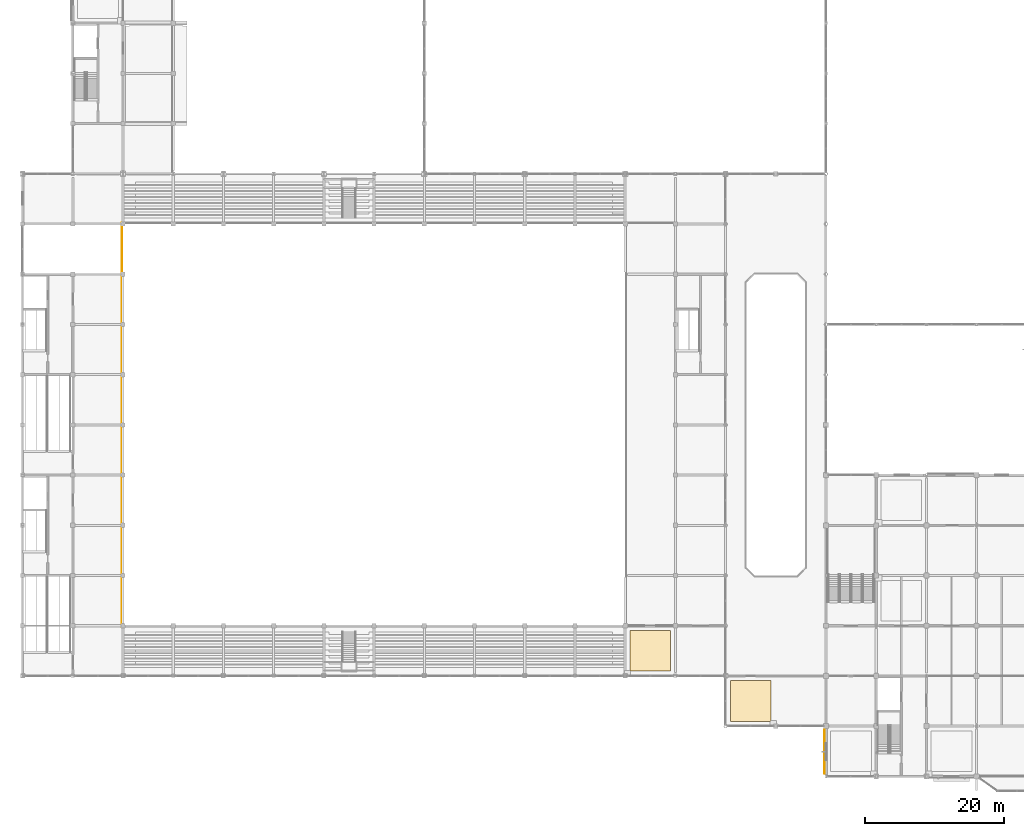
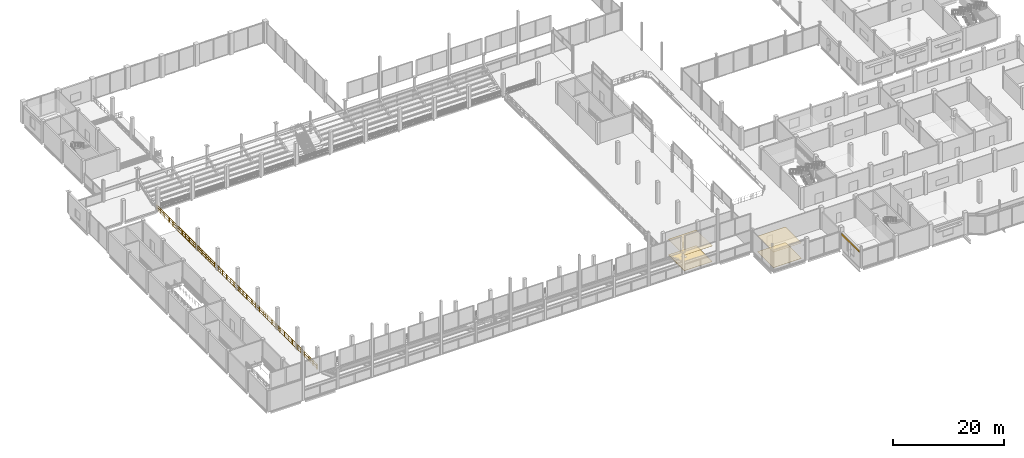
# One storey, part 108 of 120: 5 coverings, 1 railing.
"""IFC4 building model written with IfcOpenShell, lengths in metres."""

from ifc_helpers import new_model, si_unit, direction, frame, frame_2d, origin, origin_2d, place, context, subcontext, project, spatial, polyline, rectangle, circle, outline, extrude, material, layer, layer_set, type_object, element, save


model = new_model("IFC4")

# Units and contexts
model_context = context("Model", 3, precision=1e-05, world=origin(), true_north=direction((0.0, 1.0)))
body_context = subcontext(model_context, "Body", "Model", "MODEL_VIEW")
ifc_project = project(units=[si_unit("LENGTHUNIT", "METRE"), si_unit("AREAUNIT", "SQUARE_METRE"), si_unit("VOLUMEUNIT", "CUBIC_METRE"), si_unit("PLANEANGLEUNIT", "RADIAN"), si_unit("MASSUNIT", "GRAM", prefix="KILO")], contexts=[model_context])

# Site, building, storey
site_placement = place(None, origin())
site = spatial("IfcSite", under=ifc_project, at=site_placement, CompositionType="ELEMENT")
building_placement = place(site_placement, origin())
building = spatial("IfcBuilding", under=site, at=building_placement, Name="Vesperath Aquatics Centre", CompositionType="ELEMENT")
storey_placement = place(building_placement, frame((0.0, 0.0, 10.199951171875)))
storey = spatial("IfcBuildingStorey", under=building, at=storey_placement, Name="L02", CompositionType="ELEMENT", Elevation=10.199951171875)

# Coverings
ifc_material_1 = material(Name="Teal and ochre glazed ceramic majolica frieze", Category="ceramic")
ifc_layer_1 = layer(ifc_material_1, 0.0400390625)
ifc_layer_set_1 = layer_set([ifc_layer_1], Name="Teal and ochre glazed ceramic majolica frieze")
covering_type_1 = type_object("IfcCoveringType", Name="CV-CLD01", PredefinedType="CLADDING", material=ifc_layer_set_1)
covering_1_placement = place(storey_placement, frame((114.989990234375, 0.35009765625, 3.2099609375), z_axis=(0.0, 0.0, 1.0), x_axis=(0.0, 1.0, 0.0)))
element("IfcCovering", 1, at=covering_1_placement, inside=storey, type_object=covering_type_1, Name="Majolica Ceramic Frieze CLD1 L02_W_16_00", PredefinedType="CLADDING", context=body_context, shape_type="SweptSolid", body=[
    extrude(rectangle(XDim=6.349853515625, YDim=0.0400390625, at=frame_2d((3.1748046875, 0.0))), origin(), (0.0, 0.0, 1.0), 0.469970703125),
])
ifc_material_2 = material(Name="Perforated moisture-resistant acoustic mineral-fibre ceiling", Category="gypsum")
ifc_layer_2 = layer(ifc_material_2, 0.044921875)
ifc_layer_set_2 = layer_set([ifc_layer_2], Name="Perforated moisture-resistant acoustic mineral-fibre ceiling")
covering_type_2 = type_object("IfcCoveringType", Name="CV-CLG01", PredefinedType="CEILING", material=ifc_layer_set_2)
covering_2_placement = place(storey_placement, frame((0.0, 0.0, 3.425048828125)))
element("IfcCovering", 2, at=covering_2_placement, inside=storey, type_object=covering_type_2, Name="Acoustic Suspended Ceiling CLG1 L02_VIP", PredefinedType="CEILING", context=body_context, shape_type="SweptSolid", body=[
    extrude(outline(polyline([(87.080078125, 15.080078125), (92.919921875, 15.080078125), (92.919921875, 20.919921875), (87.080078125, 20.919921875), (87.080078125, 15.080078125)])), origin(), (0.0, 0.0, 1.0), 0.044921875),
])
covering_3_placement = place(storey_placement, frame((0.0, 0.0, 3.425048828125)))
element("IfcCovering", 3, at=covering_3_placement, inside=storey, type_object=covering_type_2, Name="Acoustic Suspended Ceiling CLG1 L02_SALON", PredefinedType="CEILING", context=body_context, shape_type="SweptSolid", body=[
    extrude(outline(polyline([(101.47998046875, 7.8798828125), (107.320068359375, 7.8798828125), (107.320068359375, 13.719970703125), (101.47998046875, 13.719970703125), (101.47998046875, 7.8798828125)])), origin(), (0.0, 0.0, 1.0), 0.044921875),
])
ifc_material_3 = material(Name="Slip-resistant vitrified ceramic and terrazzo flooring", Category="ceramic")
ifc_layer_3 = layer(ifc_material_3, 0.030029296875)
ifc_layer_set_3 = layer_set([ifc_layer_3], Name="Slip-resistant vitrified ceramic and terrazzo flooring")
covering_type_3 = type_object("IfcCoveringType", Name="CV-FLR01", PredefinedType="FLOORING", material=ifc_layer_set_3)
covering_4_placement = place(storey_placement, origin())
element("IfcCovering", 4, at=covering_4_placement, inside=storey, type_object=covering_type_3, Name="Slip-Resistant Floor Finish FLR1 L02_VIP", PredefinedType="FLOORING", context=body_context, shape_type="SweptSolid", body=[
    extrude(outline(polyline([(87.080078125, 15.080078125), (92.919921875, 15.080078125), (92.919921875, 20.919921875), (87.080078125, 20.919921875), (87.080078125, 15.080078125)])), origin(), (0.0, 0.0, 1.0), 0.030029296875),
])
covering_5_placement = place(storey_placement, origin())
element("IfcCovering", 5, at=covering_5_placement, inside=storey, type_object=covering_type_3, Name="Slip-Resistant Floor Finish FLR1 L02_SALON", PredefinedType="FLOORING", context=body_context, shape_type="SweptSolid", body=[
    extrude(outline(polyline([(101.47998046875, 7.8798828125), (107.320068359375, 7.8798828125), (107.320068359375, 13.719970703125), (101.47998046875, 13.719970703125), (101.47998046875, 7.8798828125)])), origin(), (0.0, 0.0, 1.0), 0.030029296875),
])

# Railing
ifc_material_4 = material(Name="Powder-coated galvanized steel safety guard", Category="steel")
railing_type = type_object("IfcRailingType", Name="RL-GRD01", PredefinedType="GUARDRAIL", material=ifc_material_4)
railing_placement = place(storey_placement, frame((14.25, 21.449951171875, 0.0)))
element("IfcRailing", 6, at=railing_placement, inside=storey, type_object=railing_type, Name="Safety Guardrail GR02 GRD_L02_CONC_W", PredefinedType="GUARDRAIL", context=body_context, shape_type="SweptSolid", body=[
    extrude(circle(Radius=0.02392578125, at=origin_2d()), frame((0.0, 0.0, 1.0859375), z_axis=(0.0, 1.0, 0.0), x_axis=(-1.0, 0.0, 0.0)), (0.0, 0.0, 1.0), 57.900146484375),
    extrude(circle(Radius=0.01611328125, at=origin_2d()), frame((0.0, 0.0, 0.10009765625), z_axis=(0.0, 1.0, 0.0), x_axis=(-1.0, 0.0, 0.0)), (0.0, 0.0, 1.0), 57.900146484375),
    extrude(circle(Radius=0.01611328125, at=origin_2d()), frame((0.0, 0.0, 0.610595703125), z_axis=(0.0, 1.0, 0.0), x_axis=(-1.0, 0.0, 0.0)), (0.0, 0.0, 1.0), 57.900146484375),
    extrude(circle(Radius=0.009033203125, at=origin_2d()), frame((0.0, 0.10986328125, 0.10009765625)), (0.0, 0.0, 1.0), 0.9619140625),
    extrude(circle(Radius=0.009033203125, at=origin_2d()), frame((0.0, 2.4169921875, 0.10009765625)), (0.0, 0.0, 1.0), 0.9619140625),
    extrude(circle(Radius=0.009033203125, at=origin_2d()), frame((0.0, 4.724365234375, 0.10009765625)), (0.0, 0.0, 1.0), 0.9619140625),
    extrude(circle(Radius=0.009033203125, at=origin_2d()), frame((0.0, 7.031494140625, 0.10009765625)), (0.0, 0.0, 1.0), 0.9619140625),
    extrude(circle(Radius=0.009033203125, at=origin_2d()), frame((0.0, 9.338623046875, 0.10009765625)), (0.0, 0.0, 1.0), 0.9619140625),
    extrude(circle(Radius=0.009033203125, at=origin_2d()), frame((0.0, 11.64599609375, 0.10009765625)), (0.0, 0.0, 1.0), 0.9619140625),
    extrude(circle(Radius=0.009033203125, at=origin_2d()), frame((0.0, 13.953125, 0.10009765625)), (0.0, 0.0, 1.0), 0.9619140625),
    extrude(circle(Radius=0.009033203125, at=origin_2d()), frame((0.0, 16.260498046875, 0.10009765625)), (0.0, 0.0, 1.0), 0.9619140625),
    extrude(circle(Radius=0.009033203125, at=origin_2d()), frame((0.0, 18.567626953125, 0.10009765625)), (0.0, 0.0, 1.0), 0.9619140625),
    extrude(circle(Radius=0.009033203125, at=origin_2d()), frame((0.0, 20.874755859375, 0.10009765625)), (0.0, 0.0, 1.0), 0.9619140625),
    extrude(circle(Radius=0.009033203125, at=origin_2d()), frame((0.0, 23.18212890625, 0.10009765625)), (0.0, 0.0, 1.0), 0.9619140625),
    extrude(circle(Radius=0.009033203125, at=origin_2d()), frame((0.0, 25.4892578125, 0.10009765625)), (0.0, 0.0, 1.0), 0.9619140625),
    extrude(circle(Radius=0.009033203125, at=origin_2d()), frame((0.0, 27.79638671875, 0.10009765625)), (0.0, 0.0, 1.0), 0.9619140625),
    extrude(circle(Radius=0.009033203125, at=origin_2d()), frame((0.0, 30.103759765625, 0.10009765625)), (0.0, 0.0, 1.0), 0.9619140625),
    extrude(circle(Radius=0.009033203125, at=origin_2d()), frame((0.0, 32.410888671875, 0.10009765625)), (0.0, 0.0, 1.0), 0.9619140625),
    extrude(circle(Radius=0.009033203125, at=origin_2d()), frame((0.0, 34.718017578125, 0.10009765625)), (0.0, 0.0, 1.0), 0.9619140625),
    extrude(circle(Radius=0.009033203125, at=origin_2d()), frame((0.0, 37.025390625, 0.10009765625)), (0.0, 0.0, 1.0), 0.9619140625),
    extrude(circle(Radius=0.009033203125, at=origin_2d()), frame((0.0, 39.33251953125, 0.10009765625)), (0.0, 0.0, 1.0), 0.9619140625),
    extrude(circle(Radius=0.009033203125, at=origin_2d()), frame((0.0, 41.6396484375, 0.10009765625)), (0.0, 0.0, 1.0), 0.9619140625),
    extrude(circle(Radius=0.009033203125, at=origin_2d()), frame((0.0, 43.947021484375, 0.10009765625)), (0.0, 0.0, 1.0), 0.9619140625),
    extrude(circle(Radius=0.009033203125, at=origin_2d()), frame((0.0, 46.254150390625, 0.10009765625)), (0.0, 0.0, 1.0), 0.9619140625),
    extrude(circle(Radius=0.009033203125, at=origin_2d()), frame((0.0, 48.5615234375, 0.10009765625)), (0.0, 0.0, 1.0), 0.9619140625),
    extrude(circle(Radius=0.009033203125, at=origin_2d()), frame((0.0, 50.86865234375, 0.10009765625)), (0.0, 0.0, 1.0), 0.9619140625),
    extrude(circle(Radius=0.009033203125, at=origin_2d()), frame((0.0, 53.17578125, 0.10009765625)), (0.0, 0.0, 1.0), 0.9619140625),
    extrude(circle(Radius=0.009033203125, at=origin_2d()), frame((0.0, 55.483154296875, 0.10009765625)), (0.0, 0.0, 1.0), 0.9619140625),
    extrude(circle(Radius=0.009033203125, at=origin_2d()), frame((0.0, 57.790283203125, 0.10009765625)), (0.0, 0.0, 1.0), 0.9619140625),
    extrude(circle(Radius=0.02197265625, at=origin_2d()), origin(), (0.0, 0.0, 1.0), 1.0859375),
    extrude(circle(Radius=0.02197265625, at=origin_2d()), frame((0.0, 1.484619140625, 0.0)), (0.0, 0.0, 1.0), 1.0859375),
    extrude(circle(Radius=0.02197265625, at=origin_2d()), frame((0.0, 2.96923828125, 0.0)), (0.0, 0.0, 1.0), 1.0859375),
    extrude(circle(Radius=0.02197265625, at=origin_2d()), frame((0.0, 4.453857421875, 0.0)), (0.0, 0.0, 1.0), 1.0859375),
    extrude(circle(Radius=0.02197265625, at=origin_2d()), frame((0.0, 5.9384765625, 0.0)), (0.0, 0.0, 1.0), 1.0859375),
    extrude(circle(Radius=0.02197265625, at=origin_2d()), frame((0.0, 7.423095703125, 0.0)), (0.0, 0.0, 1.0), 1.0859375),
    extrude(circle(Radius=0.02197265625, at=origin_2d()), frame((0.0, 8.90771484375, 0.0)), (0.0, 0.0, 1.0), 1.0859375),
    extrude(circle(Radius=0.02197265625, at=origin_2d()), frame((0.0, 10.392333984375, 0.0)), (0.0, 0.0, 1.0), 1.0859375),
    extrude(circle(Radius=0.02197265625, at=origin_2d()), frame((0.0, 11.876953125, 0.0)), (0.0, 0.0, 1.0), 1.0859375),
    extrude(circle(Radius=0.02197265625, at=origin_2d()), frame((0.0, 13.361572265625, 0.0)), (0.0, 0.0, 1.0), 1.0859375),
    extrude(circle(Radius=0.02197265625, at=origin_2d()), frame((0.0, 14.84619140625, 0.0)), (0.0, 0.0, 1.0), 1.0859375),
    extrude(circle(Radius=0.02197265625, at=origin_2d()), frame((0.0, 16.330810546875, 0.0)), (0.0, 0.0, 1.0), 1.0859375),
    extrude(circle(Radius=0.02197265625, at=origin_2d()), frame((0.0, 17.8154296875, 0.0)), (0.0, 0.0, 1.0), 1.0859375),
    extrude(circle(Radius=0.02197265625, at=origin_2d()), frame((0.0, 19.300048828125, 0.0)), (0.0, 0.0, 1.0), 1.0859375),
    extrude(circle(Radius=0.02197265625, at=origin_2d()), frame((0.0, 20.78466796875, 0.0)), (0.0, 0.0, 1.0), 1.0859375),
    extrude(circle(Radius=0.02197265625, at=origin_2d()), frame((0.0, 22.269287109375, 0.0)), (0.0, 0.0, 1.0), 1.0859375),
    extrude(circle(Radius=0.02197265625, at=origin_2d()), frame((0.0, 23.75390625, 0.0)), (0.0, 0.0, 1.0), 1.0859375),
    extrude(circle(Radius=0.02197265625, at=origin_2d()), frame((0.0, 25.238525390625, 0.0)), (0.0, 0.0, 1.0), 1.0859375),
    extrude(circle(Radius=0.02197265625, at=origin_2d()), frame((0.0, 26.72314453125, 0.0)), (0.0, 0.0, 1.0), 1.0859375),
    extrude(circle(Radius=0.02197265625, at=origin_2d()), frame((0.0, 28.207763671875, 0.0)), (0.0, 0.0, 1.0), 1.0859375),
    extrude(circle(Radius=0.02197265625, at=origin_2d()), frame((0.0, 29.6923828125, 0.0)), (0.0, 0.0, 1.0), 1.0859375),
    extrude(circle(Radius=0.02197265625, at=origin_2d()), frame((0.0, 31.177001953125, 0.0)), (0.0, 0.0, 1.0), 1.0859375),
    extrude(circle(Radius=0.02197265625, at=origin_2d()), frame((0.0, 32.66162109375, 0.0)), (0.0, 0.0, 1.0), 1.0859375),
    extrude(circle(Radius=0.02197265625, at=origin_2d()), frame((0.0, 34.146240234375, 0.0)), (0.0, 0.0, 1.0), 1.0859375),
    extrude(circle(Radius=0.02197265625, at=origin_2d()), frame((0.0, 35.630859375, 0.0)), (0.0, 0.0, 1.0), 1.0859375),
    extrude(circle(Radius=0.02197265625, at=origin_2d()), frame((0.0, 37.115478515625, 0.0)), (0.0, 0.0, 1.0), 1.0859375),
    extrude(circle(Radius=0.02197265625, at=origin_2d()), frame((0.0, 38.60009765625, 0.0)), (0.0, 0.0, 1.0), 1.0859375),
    extrude(circle(Radius=0.02197265625, at=origin_2d()), frame((0.0, 40.084716796875, 0.0)), (0.0, 0.0, 1.0), 1.0859375),
    extrude(circle(Radius=0.02197265625, at=origin_2d()), frame((0.0, 41.5693359375, 0.0)), (0.0, 0.0, 1.0), 1.0859375),
    extrude(circle(Radius=0.02197265625, at=origin_2d()), frame((0.0, 43.053955078125, 0.0)), (0.0, 0.0, 1.0), 1.0859375),
    extrude(circle(Radius=0.02197265625, at=origin_2d()), frame((0.0, 44.53857421875, 0.0)), (0.0, 0.0, 1.0), 1.0859375),
    extrude(circle(Radius=0.02197265625, at=origin_2d()), frame((0.0, 46.023193359375, 0.0)), (0.0, 0.0, 1.0), 1.0859375),
    extrude(circle(Radius=0.02197265625, at=origin_2d()), frame((0.0, 47.5078125, 0.0)), (0.0, 0.0, 1.0), 1.0859375),
    extrude(circle(Radius=0.02197265625, at=origin_2d()), frame((0.0, 48.992431640625, 0.0)), (0.0, 0.0, 1.0), 1.0859375),
    extrude(circle(Radius=0.02197265625, at=origin_2d()), frame((0.0, 50.47705078125, 0.0)), (0.0, 0.0, 1.0), 1.0859375),
    extrude(circle(Radius=0.02197265625, at=origin_2d()), frame((0.0, 51.961669921875, 0.0)), (0.0, 0.0, 1.0), 1.0859375),
    extrude(circle(Radius=0.02197265625, at=origin_2d()), frame((0.0, 53.4462890625, 0.0)), (0.0, 0.0, 1.0), 1.0859375),
    extrude(circle(Radius=0.02197265625, at=origin_2d()), frame((0.0, 54.930908203125, 0.0)), (0.0, 0.0, 1.0), 1.0859375),
    extrude(circle(Radius=0.02197265625, at=origin_2d()), frame((0.0, 56.41552734375, 0.0)), (0.0, 0.0, 1.0), 1.0859375),
    extrude(circle(Radius=0.02197265625, at=origin_2d()), frame((0.0, 57.900146484375, 0.0)), (0.0, 0.0, 1.0), 1.0859375),
])

save(model, "model.ifc")
